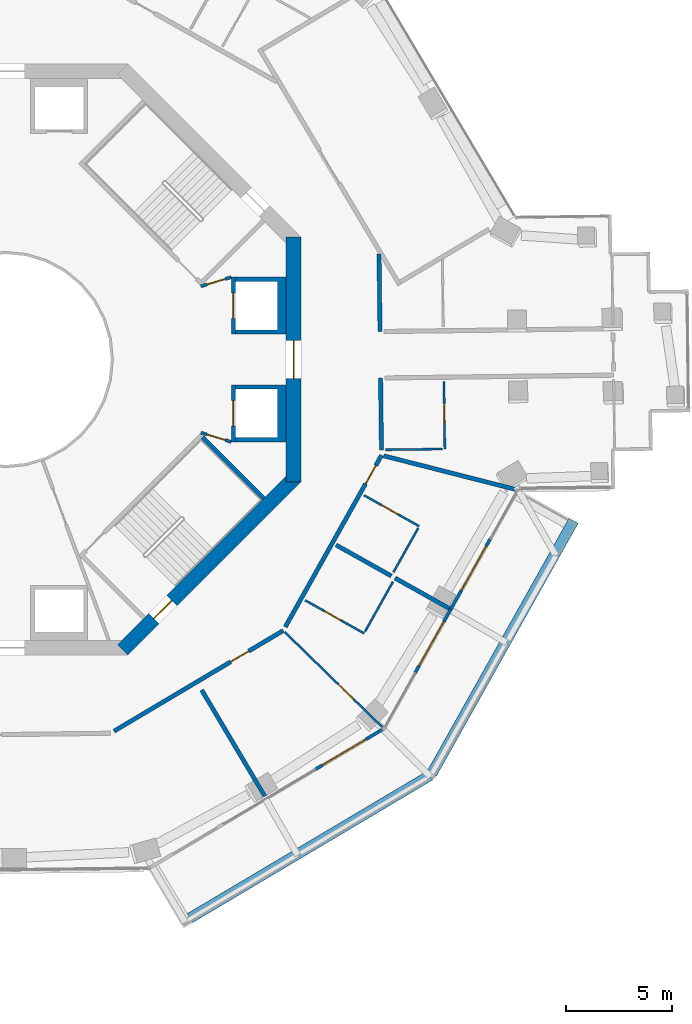
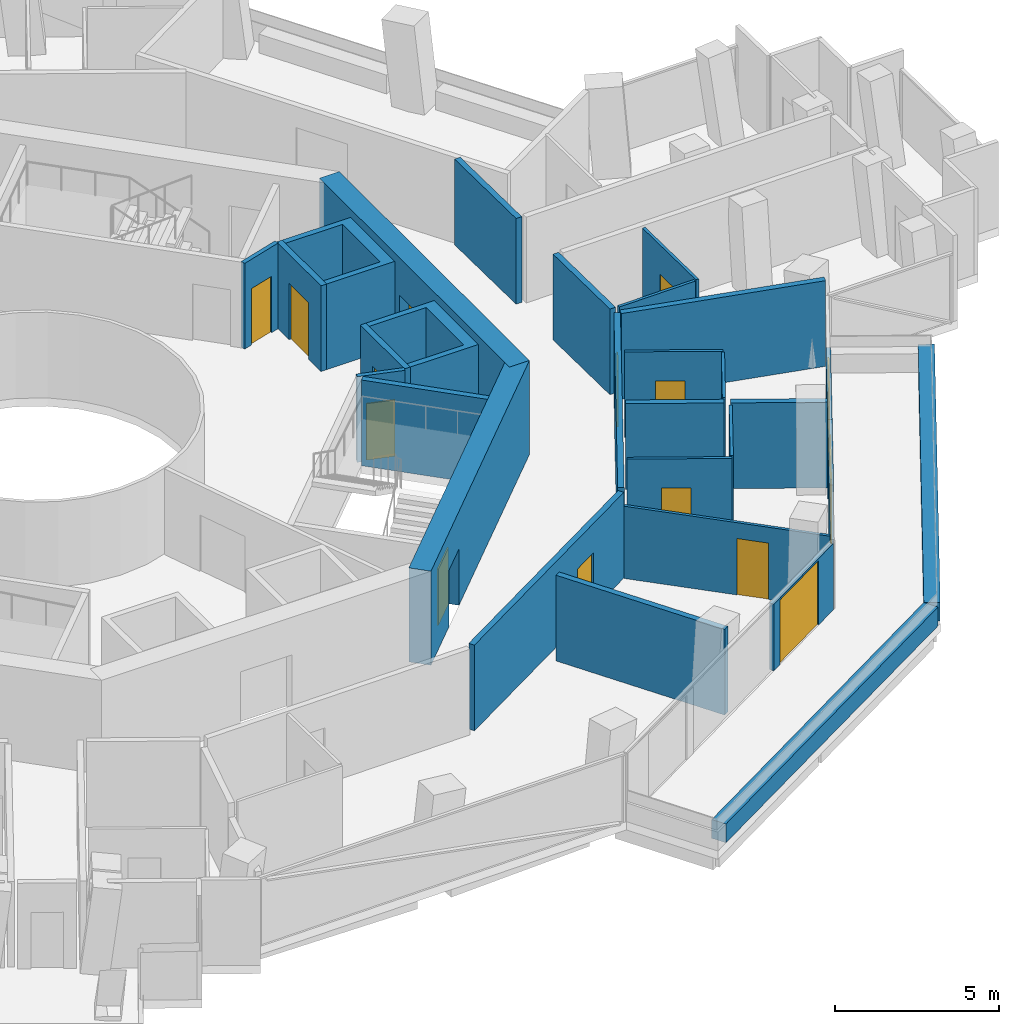
# One storey, part 15 of 21: 29 walls, 15 doors, 15 openings.
"""IFC4 building model written with IfcOpenShell, lengths in metres."""

import ifcopenshell
import ifcopenshell.guid

model = None  # the IFC model being written
_history = None  # IfcOwnerHistory: only IFC2X3 demands one
_inside = {}  # id of a spatial element -> (the spatial element, [elements in it])
_under = {}  # id of a project, library or spatial element -> (it, [spatial elements below it])
_declared = {}  # id of a project -> (the project, [libraries it declares])
_typed = {}  # id of a type object -> (the type object, [elements of that type])
_made_of = {}  # id of a material, layer set ... -> (it, [elements and type objects made of it])


def new_model(schema):
    """Start an empty IFC model of exactly this schema.

    Asked for "IFC4X3", IfcOpenShell would pick the latest addendum, in which some entities
    have other attributes; the version numbers below select the first issue.
    IFC2X3 requires an IfcOwnerHistory on every rooted entity: one is made here for all.
    """
    global model, _history
    if schema == "IFC4X3":
        model = ifcopenshell.file(schema_version=(4, 3, 0, 0))
    else:
        model = ifcopenshell.file(schema=schema)
    _inside.clear()
    _under.clear()
    _declared.clear()
    _typed.clear()
    _made_of.clear()
    _history = None
    if model.schema == "IFC2X3":
        org = make("IfcOrganization", Name="unknown")
        user = make(
            "IfcPersonAndOrganization",
            ThePerson=make("IfcPerson", FamilyName="unknown"),
            TheOrganization=org,
        )
        app = make(
            "IfcApplication",
            ApplicationDeveloper=org,
            Version="unknown",
            ApplicationFullName="unknown",
            ApplicationIdentifier="unknown",
        )
        _history = make(
            "IfcOwnerHistory",
            OwningUser=user,
            OwningApplication=app,
            ChangeAction="ADDED",
            CreationDate=0,
        )
    return model


def make(cls, **values):
    """One entity of the class cls with the attributes given. An attribute that is None is left unset."""
    return model.create_entity(
        cls, **{name: value for name, value in values.items() if value is not None}
    )


def rooted(cls, **values):
    """An entity with a GlobalId (a new one), such as an element, a storey or a relation."""
    return make(cls, GlobalId=ifcopenshell.guid.new(), OwnerHistory=_history, **values)


def si_unit(unit_type, name, prefix=None):
    """IfcSIUnit, for example si_unit("LENGTHUNIT", "METRE", prefix="MILLI")."""
    return make("IfcSIUnit", UnitType=unit_type, Prefix=prefix, Name=name)


def assignment(units):
    """IfcUnitAssignment: the units of a project."""
    return None if units is None else make("IfcUnitAssignment", Units=units)


def point(xyz):
    """IfcCartesianPoint."""
    return None if xyz is None else make("IfcCartesianPoint", Coordinates=xyz)


def direction(xyz):
    """IfcDirection."""
    return None if xyz is None else make("IfcDirection", DirectionRatios=xyz)


def frame(location, z_axis=None, x_axis=None):
    """IfcAxis2Placement3D, a coordinate frame: its origin and axes. An axis left out is left unset."""
    return make(
        "IfcAxis2Placement3D",
        Location=point(location),
        Axis=direction(z_axis),
        RefDirection=direction(x_axis),
    )


def frame_2d(location, x_axis=None):
    """IfcAxis2Placement2D, a coordinate frame in the plane: its origin and x axis."""
    return make(
        "IfcAxis2Placement2D", Location=point(location), RefDirection=direction(x_axis)
    )


def origin():
    """The frame at (0, 0, 0) with its axes left unset."""
    return frame((0.0, 0.0, 0.0))


def place(relative_to, where):
    """IfcLocalPlacement: puts the frame where relative to a parent placement (None: the world)."""
    return make(
        "IfcLocalPlacement", PlacementRelTo=relative_to, RelativePlacement=where
    )


def context(
    kind, dimensions, precision=None, world=None, true_north=None, identifier=None
):
    """IfcGeometricRepresentationContext, for example the 3D "Model" context."""
    return make(
        "IfcGeometricRepresentationContext",
        ContextIdentifier=identifier,
        ContextType=kind,
        CoordinateSpaceDimension=dimensions,
        Precision=precision,
        WorldCoordinateSystem=world,
        TrueNorth=true_north,
    )


def subcontext(parent, identifier, kind, view, scale=None):
    """IfcGeometricRepresentationSubContext, for example "Body" below "Model"."""
    return make(
        "IfcGeometricRepresentationSubContext",
        ContextIdentifier=identifier,
        ContextType=kind,
        ParentContext=parent,
        TargetScale=scale,
        TargetView=view,
    )


def project(units=None, contexts=None):
    """IfcProject with its units and contexts."""
    return rooted(
        "IfcProject",
        Name="project",
        RepresentationContexts=contexts,
        UnitsInContext=assignment(units),
    )


def spatial(cls, under=None, at=None, **own):
    """A site, building, storey or space (cls), placed at a placement, below another one or the project."""
    s = rooted(cls, ObjectPlacement=at, **own)
    if under is not None:
        _under.setdefault(under.id(), (under, []))[1].append(s)
    return s


def polyline(points):
    """IfcPolyline through the points."""
    return make("IfcPolyline", Points=[point(p) for p in points])


def profile(cls, at=None, kind="AREA", **sizes):
    """A parametric profile (cls). Its sizes go by their IFC names, for example OverallWidth=200.0."""
    return make(cls, ProfileType=kind, Position=at, **sizes)


def rectangle(**sizes):
    """IfcRectangleProfileDef."""
    return profile("IfcRectangleProfileDef", **sizes)


def outline(outer, holes=None, kind="AREA"):
    """IfcArbitraryClosedProfileDef: a profile drawn as a closed curve; with holes, ...WithVoids."""
    if holes is None:
        return make("IfcArbitraryClosedProfileDef", ProfileType=kind, OuterCurve=outer)
    return make(
        "IfcArbitraryProfileDefWithVoids",
        ProfileType=kind,
        OuterCurve=outer,
        InnerCurves=holes,
    )


def extrude(swept, where, along, depth):
    """IfcExtrudedAreaSolid: the profile swept, set in the frame where, extruded along a direction by depth."""
    return make(
        "IfcExtrudedAreaSolid",
        SweptArea=swept,
        Position=where,
        ExtrudedDirection=direction(along),
        Depth=depth,
    )


def shape(context_of_items, identifier, shape_type, items):
    """IfcShapeRepresentation: the items that make up one representation, for example the "Body"."""
    return make(
        "IfcShapeRepresentation",
        ContextOfItems=context_of_items,
        RepresentationIdentifier=identifier,
        RepresentationType=shape_type,
        Items=items,
    )


def material(Name=None, Category=None):
    """IfcMaterial."""
    return make("IfcMaterial", Name=Name, Category=Category)


def layer(
    of_material, thickness, ventilated=None, Name=None, Category=None, Priority=None
):
    """IfcMaterialLayer: one layer of a wall or slab, of a material (None: an air gap)."""
    return make(
        "IfcMaterialLayer",
        Material=of_material,
        LayerThickness=thickness,
        IsVentilated=ventilated,
        Name=Name,
        Category=Category,
        Priority=Priority,
    )


def layer_set(layers, Name=None):
    """IfcMaterialLayerSet."""
    return make("IfcMaterialLayerSet", MaterialLayers=layers, LayerSetName=Name)


def made_of(thing, what):
    """Note that an element or type object is made of a material, layer set ...; save() writes the relation."""
    if what is not None:
        _made_of.setdefault(what.id(), (what, []))[1].append(thing)
    return thing


def type_object(cls, material=None, **own):
    """A type object (cls), such as IfcWallType, which elements share."""
    return made_of(rooted(cls, **own), material)


def element(
    cls,
    number,
    at=None,
    inside=None,
    cuts=None,
    type_object=None,
    material=None,
    context=None,
    identifier="Body",
    shape_type=None,
    held_by="IfcProductDefinitionShape",
    body=None,
    shapes=None,
    **own,
):
    """One element of the class cls, such as IfcWall. Its Tag is "e" and its number.

    at: its placement. inside: the storey or other place that contains it. cuts: it is an
    opening in that element (IfcRelVoidsElement). A single representation is given by context,
    identifier, shape_type and body (its items); several are given by shapes. held_by: the class
    of the entity that holds the representations. save() writes the other relations.
    """
    e = rooted(cls, Tag="e%d" % number, ObjectPlacement=at, **own)
    if body is not None:
        shapes = [shape(context, identifier, shape_type, body)]
    if shapes is not None:
        e.Representation = make(held_by, Representations=shapes)
    if inside is not None:
        _inside.setdefault(inside.id(), (inside, []))[1].append(e)
    if cuts is not None:
        rooted(
            "IfcRelVoidsElement", RelatingBuildingElement=cuts, RelatedOpeningElement=e
        )
    if type_object is not None:
        _typed.setdefault(type_object.id(), (type_object, []))[1].append(e)
    return made_of(e, material)


def fill(opening, filler):
    """IfcRelFillsElement: the door or window that sits in an opening."""
    return rooted(
        "IfcRelFillsElement",
        RelatingOpeningElement=opening,
        RelatedBuildingElement=filler,
    )


def aggregate(whole, parts):
    """IfcRelAggregates: a whole, such as a stair, and the parts it consists of."""
    return rooted("IfcRelAggregates", RelatingObject=whole, RelatedObjects=parts)


def save(model, path):
    """Write the relations noted so far, then the file.

    IfcRelAggregates (storeys below a building ...), IfcRelContainedInSpatialStructure (elements
    in a storey), IfcRelDefinesByType, IfcRelAssociatesMaterial and IfcRelDeclares: one each for
    every whole, place, type object, material and project.
    """
    for whole, parts in _under.values():
        aggregate(whole, parts)
    for where, things in _inside.values():
        rooted(
            "IfcRelContainedInSpatialStructure",
            RelatedElements=things,
            RelatingStructure=where,
        )
    for kind, things in _typed.values():
        rooted("IfcRelDefinesByType", RelatedObjects=things, RelatingType=kind)
    for what, things in _made_of.values():
        rooted("IfcRelAssociatesMaterial", RelatedObjects=things, RelatingMaterial=what)
    for by, libraries in _declared.values():
        rooted("IfcRelDeclares", RelatingContext=by, RelatedDefinitions=libraries)
    model.write(path)


model = new_model("IFC4")

# Units and contexts
model_context = context("Model", 3, precision=1e-05, world=origin(), true_north=direction((0.0, 1.0)))
body_context = subcontext(model_context, "Body", "Model", "MODEL_VIEW")
ifc_project = project(units=[si_unit("LENGTHUNIT", "METRE"), si_unit("AREAUNIT", "SQUARE_METRE"), si_unit("VOLUMEUNIT", "CUBIC_METRE"), si_unit("PLANEANGLEUNIT", "RADIAN"), si_unit("MASSUNIT", "GRAM", prefix="KILO")], contexts=[model_context])

# Site, building, storey
site_placement = place(None, origin())
site = spatial("IfcSite", under=ifc_project, at=site_placement, CompositionType="ELEMENT")
building_placement = place(site_placement, origin())
building = spatial("IfcBuilding", under=site, at=building_placement, Name="Verdalira Terraces Hotel", CompositionType="ELEMENT")
storey_placement = place(building_placement, frame((0.0, 0.0, 158.5)))
storey = spatial("IfcBuildingStorey", under=building, at=storey_placement, Name="L38", CompositionType="ELEMENT", Elevation=158.5)

# Walls
ifc_material_1 = material(Name="Concrete C40", Category="concrete")
ifc_layer_1 = layer(ifc_material_1, 0.5)
ifc_layer_set_1 = layer_set([ifc_layer_1], Name="Balcony planter trough with tree")
wall_type_1 = type_object("IfcWallType", Name="Balcony planter trough with tree", PredefinedType="SOLIDWALL", material=ifc_layer_set_1)
wall_1_placement = place(storey_placement, frame((8.741211, -26.455322, 0.0), z_axis=(0.0, 0.0, 1.0), x_axis=(0.85967461, 0.510842016, 0.0)))
element("IfcWall", 1, at=wall_1_placement, inside=storey, type_object=wall_type_1, Name="Balcony planter", PredefinedType="SOLIDWALL", context=body_context, shape_type="SweptSolid", body=[
    extrude(rectangle(XDim=13.223633, YDim=0.5, at=frame_2d((6.611816, 0.0))), origin(), (0.0, 0.0, 1.0), 0.699951),
])
wall_2_placement = place(storey_placement, frame((20.199463, -19.607666, 0.0), z_axis=(0.0, 0.0, 1.0), x_axis=(0.48906647, 0.872246518, 0.0)))
element("IfcWall", 2, at=wall_2_placement, inside=storey, type_object=wall_type_1, Name="Balcony planter", PredefinedType="SOLIDWALL", context=body_context, shape_type="SweptSolid", body=[
    extrude(rectangle(XDim=13.723389, YDim=0.5, at=frame_2d((6.861816, 0.0))), origin(), (0.0, 0.0, 1.0), 0.699951),
])

# Wall, opening, door
ifc_material_2 = material(Name="Moisture-resistant gypsum board partition")
ifc_layer_2 = layer(ifc_material_2, 0.10009765625)
ifc_layer_set_2 = layer_set([ifc_layer_2], Name="Bathroom partition 100 mm")
wall_type_2 = type_object("IfcWallType", Name="Bathroom partition 100 mm", PredefinedType="PARTITIONING", material=ifc_layer_set_2)
wall_3_placement = place(storey_placement, frame((14.196777, -11.399658, 0.0), z_axis=(0.0, 0.0, 1.0), x_axis=(0.872210525, -0.489130657, 0.0)))
wall_3 = element("IfcWall", 3, at=wall_3_placement, inside=storey, type_object=wall_type_2, Name="Bathroom partition", PredefinedType="PARTITIONING", context=body_context, shape_type="SweptSolid", body=[
    extrude(rectangle(XDim=3.199951, YDim=0.100098, at=frame_2d((1.600098, 0.0))), origin(), (0.0, 0.0, 1.0), 3.189941),
])
opening_1_placement = place(wall_3_placement, frame((1.050049, 0.0, 0.0)))
opening_1 = element("IfcOpeningElement", 4, at=opening_1_placement, cuts=wall_3, Name="Opening L38-125", PredefinedType="OPENING", context=body_context, shape_type="SweptSolid", body=[
    extrude(rectangle(XDim=0.899902, YDim=2.100098, at=frame_2d((0.449951, 1.050049))), frame((0.0, 0.060059, 0.0), z_axis=(0.0, -1.0, 0.0), x_axis=(1.0, 0.0, 0.0)), (0.0, 0.0, 1.0), 0.120117),
])
ifc_material_3 = material(Name="Timber door", Category="wood")
door_type_1 = type_object("IfcDoorType", Name="Bathroom door 900 x 2100", OperationType="NOTDEFINED", PredefinedType="DOOR", material=ifc_material_3)
door_1_placement = place(opening_1_placement, origin())
door_1 = element("IfcDoor", 5, at=door_1_placement, inside=storey, type_object=door_type_1, Name="Bathroom door 3807", OperationType="SINGLE_SWING_RIGHT", OverallHeight=2.10009765625, OverallWidth=0.89990234375, PredefinedType="DOOR", context=body_context, shape_type="SweptSolid", body=[
    extrude(rectangle(XDim=0.899902, YDim=2.100098, at=frame_2d((0.449951, 1.050049))), frame((0.0, 0.024902, 0.0), z_axis=(0.0, -1.0, 0.0), x_axis=(1.0, 0.0, 0.0)), (0.0, 0.0, 1.0), 0.050049),
])
fill(opening_1, door_1)

# Wall
wall_4_placement = place(storey_placement, frame((17.036865, -12.877686, 0.0), z_axis=(0.0, 0.0, 1.0), x_axis=(0.489063093, 0.872248411, 0.0)))
element("IfcWall", 6, at=wall_4_placement, inside=storey, type_object=wall_type_2, Name="Bathroom partition", PredefinedType="PARTITIONING", context=body_context, shape_type="SweptSolid", body=[
    extrude(rectangle(XDim=2.700195, YDim=0.100098, at=frame_2d((1.350098, 0.0))), origin(), (0.0, 0.0, 1.0), 3.189941),
])

# Wall, opening, door
wall_5_placement = place(storey_placement, frame((19.601318, -7.895264, 0.0), z_axis=(0.0, 0.0, 1.0), x_axis=(-0.872231109, 0.489093951, 0.0)))
wall_5 = element("IfcWall", 7, at=wall_5_placement, inside=storey, type_object=wall_type_2, Name="Bathroom partition", PredefinedType="PARTITIONING", context=body_context, shape_type="SweptSolid", body=[
    extrude(rectangle(XDim=3.0, YDim=0.100098, at=frame_2d((1.5, 0.0))), origin(), (0.0, 0.0, 1.0), 3.189941),
])
opening_2_placement = place(wall_5_placement, frame((1.149902, 0.0, 0.0)))
opening_2 = element("IfcOpeningElement", 8, at=opening_2_placement, cuts=wall_5, Name="Opening L38-127", PredefinedType="OPENING", context=body_context, shape_type="SweptSolid", body=[
    extrude(rectangle(XDim=0.899902, YDim=2.100098, at=frame_2d((0.449951, 1.050049))), frame((0.0, 0.060059, 0.0), z_axis=(0.0, -1.0, 0.0), x_axis=(1.0, 0.0, 0.0)), (0.0, 0.0, 1.0), 0.120117),
])
door_2_placement = place(opening_2_placement, origin())
door_2 = element("IfcDoor", 9, at=door_2_placement, inside=storey, type_object=door_type_1, Name="Bathroom door 3808", OperationType="SINGLE_SWING_LEFT", OverallHeight=2.10009765625, OverallWidth=0.89990234375, PredefinedType="DOOR", context=body_context, shape_type="SweptSolid", body=[
    extrude(rectangle(XDim=0.899902, YDim=2.100098, at=frame_2d((0.449951, 1.050049))), frame((0.0, 0.024902, 0.0), z_axis=(0.0, -1.0, 0.0), x_axis=(1.0, 0.0, 0.0)), (0.0, 0.0, 1.0), 0.050049),
])
fill(opening_2, door_2)

# Walls
wall_6_placement = place(storey_placement, frame((19.552246, -7.982422, 0.0), z_axis=(0.0, 0.0, 1.0), x_axis=(-0.48911131, -0.872221375, 0.0)))
element("IfcWall", 10, at=wall_6_placement, inside=storey, type_object=wall_type_2, Name="Bathroom partition", PredefinedType="PARTITIONING", context=body_context, shape_type="SweptSolid", body=[
    extrude(rectangle(XDim=2.399902, YDim=0.100098, at=frame_2d((1.199951, 0.0))), origin(), (0.0, 0.0, 1.0), 3.189941),
])
wall_7_placement = place(storey_placement, frame((18.013428, -4.273926, 0.0), z_axis=(0.0, 0.0, 1.0), x_axis=(0.999921006, 0.012569092, 0.0)))
element("IfcWall", 11, at=wall_7_placement, inside=storey, type_object=wall_type_2, Name="Bathroom partition", PredefinedType="PARTITIONING", context=body_context, shape_type="SweptSolid", body=[
    extrude(rectangle(XDim=2.699951, YDim=0.100098, at=frame_2d((1.350098, 0.0))), origin(), (0.0, 0.0, 1.0), 3.189941),
])

# Wall, opening, door
wall_8_placement = place(storey_placement, frame((20.813232, -4.23877, 0.0), z_axis=(0.0, 0.0, 1.0), x_axis=(-0.012588656, 0.99992076, 0.0)))
wall_8 = element("IfcWall", 12, at=wall_8_placement, inside=storey, type_object=wall_type_2, Name="Bathroom partition", PredefinedType="PARTITIONING", context=body_context, shape_type="SweptSolid", body=[
    extrude(rectangle(XDim=3.199951, YDim=0.100098, at=frame_2d((1.600098, 0.0))), origin(), (0.0, 0.0, 1.0), 3.189941),
])
opening_3_placement = place(wall_8_placement, frame((1.25, 0.0, 0.0)))
opening_3 = element("IfcOpeningElement", 13, at=opening_3_placement, cuts=wall_8, Name="Opening L38-131", PredefinedType="OPENING", context=body_context, shape_type="SweptSolid", body=[
    extrude(rectangle(XDim=0.899902, YDim=2.100098, at=frame_2d((0.449951, 1.050049))), frame((0.0, 0.060059, 0.0), z_axis=(0.0, -1.0, 0.0), x_axis=(1.0, 0.0, 0.0)), (0.0, 0.0, 1.0), 0.120117),
])
door_3_placement = place(opening_3_placement, origin())
door_3 = element("IfcDoor", 14, at=door_3_placement, inside=storey, type_object=door_type_1, Name="Bathroom door 3809", OperationType="SINGLE_SWING_LEFT", OverallHeight=2.10009765625, OverallWidth=0.89990234375, PredefinedType="DOOR", context=body_context, shape_type="SweptSolid", body=[
    extrude(rectangle(XDim=0.899902, YDim=2.100098, at=frame_2d((0.449951, 1.050049))), frame((0.0, 0.024902, 0.0), z_axis=(0.0, -1.0, 0.0), x_axis=(1.0, 0.0, 0.0)), (0.0, 0.0, 1.0), 0.050049),
])
fill(opening_3, door_3)

ifc_material_4 = material(Name="Moisture-resistant gypsum board partition")
ifc_layer_3 = layer(ifc_material_4, 0.10009765625)
ifc_layer_set_3 = layer_set([ifc_layer_3], Name="Bathroom partition 100 mm to beam soffit")
wall_type_3 = type_object("IfcWallType", Name="Bathroom partition 100 mm to beam soffit", PredefinedType="PARTITIONING", material=ifc_layer_set_3)
wall_9_placement = place(storey_placement, frame((13.236572, -12.907959, 0.0), z_axis=(0.0, 0.0, 1.0), x_axis=(0.71592947, -0.69817261, 0.0)))
wall_9 = element("IfcWall", 15, at=wall_9_placement, inside=storey, type_object=wall_type_3, Name="Bathroom partition", PredefinedType="PARTITIONING", context=body_context, shape_type="SweptSolid", body=[
    extrude(rectangle(XDim=6.47583, YDim=0.100098, at=frame_2d((3.237793, 0.0))), origin(), (0.0, 0.0, 1.0), 2.689941),
])
opening_4_placement = place(wall_9_placement, frame((3.550049, 0.0, 0.0)))
opening_4 = element("IfcOpeningElement", 16, at=opening_4_placement, cuts=wall_9, Name="Opening L38-124", PredefinedType="OPENING", context=body_context, shape_type="SweptSolid", body=[
    extrude(rectangle(XDim=1.0, YDim=2.100098, at=frame_2d((0.5, 1.050049))), frame((0.0, 0.060059, 0.0), z_axis=(0.0, -1.0, 0.0), x_axis=(1.0, 0.0, 0.0)), (0.0, 0.0, 1.0), 0.120117),
])
ifc_material_5 = material(Name="Timber door", Category="wood")
door_type_2 = type_object("IfcDoorType", Name="Suite internal door 1000 x 2100", OperationType="NOTDEFINED", PredefinedType="DOOR", material=ifc_material_5)
door_4_placement = place(opening_4_placement, origin())
door_4 = element("IfcDoor", 17, at=door_4_placement, inside=storey, type_object=door_type_2, Name="Suite internal door 3807", OperationType="SINGLE_SWING_LEFT", OverallHeight=2.10009765625, OverallWidth=1.0, PredefinedType="DOOR", context=body_context, shape_type="SweptSolid", body=[
    extrude(rectangle(XDim=1.0, YDim=2.100098, at=frame_2d((0.5, 1.050049))), frame((0.0, 0.024902, 0.0), z_axis=(0.0, -1.0, 0.0), x_axis=(1.0, 0.0, 0.0)), (0.0, 0.0, 1.0), 0.050049),
])
fill(opening_4, door_4)

# Wall
ifc_material_6 = material(Name="Concrete C50", Category="concrete")
ifc_layer_4 = layer(ifc_material_6, 0.199951171875)
ifc_layer_set_4 = layer_set([ifc_layer_4], Name="Core RC wall 200 C50")
wall_type_4 = type_object("IfcWallType", Name="Core RC wall 200 C50", PredefinedType="SOLIDWALL", material=ifc_layer_set_4)
wall_10_placement = place(storey_placement, origin())
element("IfcWall", 18, at=wall_10_placement, inside=storey, type_object=wall_type_4, Name="L38 shaft wall E1", PredefinedType="SOLIDWALL", context=body_context, shape_type="SweptSolid", body=[
    extrude(outline(polyline([(13.300049, -3.899902), (10.899902, -3.899902), (10.899902, -3.699951), (12.899902, -3.699951), (12.899902, -1.399902), (10.899902, -1.399902), (10.899902, -1.199951), (13.300049, -1.199951), (13.300049, -3.899902)])), origin(), (0.0, 0.0, 1.0), 3.189941),
])

# Wall, opening, door
wall_11_placement = place(storey_placement, frame((10.800049, -1.199951, 0.0), z_axis=(0.0, 0.0, 1.0), x_axis=(0.0, -1.0, 0.0)))
wall_11 = element("IfcWall", 19, at=wall_11_placement, inside=storey, type_object=wall_type_4, Name="L38 shaft front wall E1", PredefinedType="SOLIDWALL", context=body_context, shape_type="SweptSolid", body=[
    extrude(rectangle(XDim=2.699951, YDim=0.199951, at=frame_2d((1.350098, 0.0))), origin(), (0.0, 0.0, 1.0), 3.189941),
])
opening_5_placement = place(wall_11_placement, frame((0.75, 0.0, 0.0)))
opening_5 = element("IfcOpeningElement", 20, at=opening_5_placement, cuts=wall_11, Name="Opening LD-L38-801", PredefinedType="OPENING", context=body_context, shape_type="SweptSolid", body=[
    extrude(rectangle(XDim=1.199951, YDim=2.100098, at=frame_2d((0.600098, 1.050049))), frame((0.0, 0.109863, 0.0), z_axis=(0.0, -1.0, 0.0), x_axis=(1.0, 0.0, 0.0)), (0.0, 0.0, 1.0), 0.219971),
])
ifc_material_7 = material(Name="Stainless steel", Category="steel")
door_type_3 = type_object("IfcDoorType", Name="Landing door 1200 x 2100", OperationType="NOTDEFINED", PredefinedType="DOOR", material=ifc_material_7)
door_5_placement = place(opening_5_placement, origin())
door_5 = element("IfcDoor", 21, at=door_5_placement, inside=storey, type_object=door_type_3, Name="Lift landing door LR1 L38", OperationType="DOUBLE_DOOR_SLIDING", OverallHeight=2.10009765625, OverallWidth=1.199951171875, PredefinedType="DOOR", context=body_context, shape_type="SweptSolid", body=[
    extrude(rectangle(XDim=1.199951, YDim=2.100098, at=frame_2d((0.600098, 1.050049))), frame((0.0, 0.024902, 0.0), z_axis=(0.0, -1.0, 0.0), x_axis=(1.0, 0.0, 0.0)), (0.0, 0.0, 1.0), 0.050049),
])
fill(opening_5, door_5)

# Wall
wall_12_placement = place(storey_placement, origin())
element("IfcWall", 22, at=wall_12_placement, inside=storey, type_object=wall_type_4, Name="L38 shaft wall E2", PredefinedType="SOLIDWALL", context=body_context, shape_type="SweptSolid", body=[
    extrude(outline(polyline([(13.300049, 3.899902), (13.300049, 1.199951), (10.899902, 1.199951), (10.899902, 1.399902), (12.899902, 1.399902), (12.899902, 3.699951), (10.899902, 3.699951), (10.899902, 3.899902), (13.300049, 3.899902)])), origin(), (0.0, 0.0, 1.0), 3.189941),
])

# Wall, opening, door
wall_13_placement = place(storey_placement, frame((10.800049, 1.199951, 0.0), z_axis=(0.0, 0.0, 1.0), x_axis=(0.0, 1.0, 0.0)))
wall_13 = element("IfcWall", 23, at=wall_13_placement, inside=storey, type_object=wall_type_4, Name="L38 shaft front wall E2", PredefinedType="SOLIDWALL", context=body_context, shape_type="SweptSolid", body=[
    extrude(rectangle(XDim=2.699951, YDim=0.199951, at=frame_2d((1.350098, 0.0))), origin(), (0.0, 0.0, 1.0), 3.189941),
])
opening_6_placement = place(wall_13_placement, frame((0.75, 0.0, 0.0)))
opening_6 = element("IfcOpeningElement", 24, at=opening_6_placement, cuts=wall_13, Name="Opening LD-L38-802", PredefinedType="OPENING", context=body_context, shape_type="SweptSolid", body=[
    extrude(rectangle(XDim=1.199951, YDim=2.100098, at=frame_2d((0.600098, 1.050049))), frame((0.0, 0.109863, 0.0), z_axis=(0.0, -1.0, 0.0), x_axis=(1.0, 0.0, 0.0)), (0.0, 0.0, 1.0), 0.219971),
])
door_6_placement = place(opening_6_placement, origin())
door_6 = element("IfcDoor", 25, at=door_6_placement, inside=storey, type_object=door_type_3, Name="Lift landing door LR2 L38", OperationType="DOUBLE_DOOR_SLIDING", OverallHeight=2.10009765625, OverallWidth=1.199951171875, PredefinedType="DOOR", context=body_context, shape_type="SweptSolid", body=[
    extrude(rectangle(XDim=1.199951, YDim=2.100098, at=frame_2d((0.600098, 1.050049))), frame((0.0, 0.024902, 0.0), z_axis=(0.0, -1.0, 0.0), x_axis=(1.0, 0.0, 0.0)), (0.0, 0.0, 1.0), 0.050049),
])
fill(opening_6, door_6)

# Wall
wall_14_placement = place(storey_placement, frame((9.33374, -3.677002, 0.0), z_axis=(0.0, 0.0, 1.0), x_axis=(0.707106781, -0.707106781, 0.0)))
element("IfcWall", 26, at=wall_14_placement, inside=storey, type_object=wall_type_4, Name="L38 stair ST3 end wall 2", PredefinedType="SOLIDWALL", context=body_context, shape_type="SweptSolid", body=[
    extrude(rectangle(XDim=4.100098, YDim=0.199951, at=frame_2d((2.050049, 0.0))), origin(), (0.0, 0.0, 1.0), 3.189941),
])

# Wall, opening, door
ifc_material_8 = material(Name="Gypsum board partition")
ifc_layer_5 = layer(ifc_material_8, 0.14990234375)
ifc_layer_set_5 = layer_set([ifc_layer_5], Name="Core partition 150 mm")
wall_type_5 = type_object("IfcWallType", Name="Core partition 150 mm", PredefinedType="PARTITIONING", material=ifc_layer_set_5)
wall_15_placement = place(storey_placement, frame((10.699951, 3.899902, 0.0), z_axis=(0.0, 0.0, 1.0), x_axis=(-0.957084567, -0.289808785, 0.0)))
wall_15 = element("IfcWall", 27, at=wall_15_placement, inside=storey, type_object=wall_type_5, Name="Room partition L38", PredefinedType="PARTITIONING", context=body_context, shape_type="SweptSolid", body=[
    extrude(rectangle(XDim=1.501221, YDim=0.149902, at=frame_2d((0.750488, 0.0))), origin(), (0.0, 0.0, 1.0), 3.189941),
])
opening_7_placement = place(wall_15_placement, frame((0.300781, 0.0, 0.0)))
opening_7 = element("IfcOpeningElement", 28, at=opening_7_placement, cuts=wall_15, Name="Opening L38-820", PredefinedType="OPENING", context=body_context, shape_type="SweptSolid", body=[
    extrude(rectangle(XDim=0.899902, YDim=2.100098, at=frame_2d((0.449951, 1.050049))), frame((0.0, 0.084961, 0.0), z_axis=(0.0, -1.0, 0.0), x_axis=(1.0, 0.0, 0.0)), (0.0, 0.0, 1.0), 0.169922),
])
ifc_material_9 = material(Name="Steel fire door", Category="steel")
door_type_4 = type_object("IfcDoorType", Name="Core room door 900 x 2100", OperationType="NOTDEFINED", PredefinedType="DOOR", material=ifc_material_9)
door_7_placement = place(opening_7_placement, origin())
door_7 = element("IfcDoor", 29, at=door_7_placement, inside=storey, type_object=door_type_4, Name="Door L38 room0", OperationType="SINGLE_SWING_LEFT", OverallHeight=2.10009765625, OverallWidth=0.89990234375, PredefinedType="DOOR", context=body_context, shape_type="SweptSolid", body=[
    extrude(rectangle(XDim=0.899902, YDim=2.100098, at=frame_2d((0.449951, 1.050049))), frame((0.0, 0.024902, 0.0), z_axis=(0.0, -1.0, 0.0), x_axis=(1.0, 0.0, 0.0)), (0.0, 0.0, 1.0), 0.050049),
])
fill(opening_7, door_7)

wall_16_placement = place(storey_placement, frame((9.263184, -3.464844, 0.0), z_axis=(0.0, 0.0, 1.0), x_axis=(0.957084567, -0.289808785, 0.0)))
wall_16 = element("IfcWall", 30, at=wall_16_placement, inside=storey, type_object=wall_type_5, Name="Room partition L38", PredefinedType="PARTITIONING", context=body_context, shape_type="SweptSolid", body=[
    extrude(rectangle(XDim=1.501221, YDim=0.149902, at=frame_2d((0.750488, 0.0))), origin(), (0.0, 0.0, 1.0), 3.189941),
])
opening_8_placement = place(wall_16_placement, frame((0.300781, 0.0, 0.0)))
opening_8 = element("IfcOpeningElement", 31, at=opening_8_placement, cuts=wall_16, Name="Opening L38-823", PredefinedType="OPENING", context=body_context, shape_type="SweptSolid", body=[
    extrude(rectangle(XDim=0.899902, YDim=2.100098, at=frame_2d((0.449951, 1.050049))), frame((0.0, 0.084961, 0.0), z_axis=(0.0, -1.0, 0.0), x_axis=(1.0, 0.0, 0.0)), (0.0, 0.0, 1.0), 0.169922),
])
door_8_placement = place(opening_8_placement, origin())
door_8 = element("IfcDoor", 32, at=door_8_placement, inside=storey, type_object=door_type_4, Name="Door L38 room7", OperationType="SINGLE_SWING_LEFT", OverallHeight=2.10009765625, OverallWidth=0.89990234375, PredefinedType="DOOR", context=body_context, shape_type="SweptSolid", body=[
    extrude(rectangle(XDim=0.899902, YDim=2.100098, at=frame_2d((0.449951, 1.050049))), frame((0.0, 0.024902, 0.0), z_axis=(0.0, -1.0, 0.0), x_axis=(1.0, 0.0, 0.0)), (0.0, 0.0, 1.0), 0.050049),
])
fill(opening_8, door_8)

ifc_material_10 = material(Name="Concrete C60", Category="concrete")
ifc_layer_6 = layer(ifc_material_10, 0.699951171875)
ifc_layer_set_6 = layer_set([ifc_layer_6], Name="Core wall 700 C60")
wall_type_6 = type_object("IfcWallType", Name="Core wall 700 C60", PredefinedType="SHEAR", material=ifc_layer_set_6)
wall_17_placement = place(storey_placement, frame((13.649902, -5.799072, 0.0), z_axis=(0.0, 0.0, 1.0), x_axis=(0.0, 1.0, 0.0)))
wall_17 = element("IfcWall", 33, at=wall_17_placement, inside=storey, type_object=wall_type_6, Name="Core wall CW-L38-1", PredefinedType="SHEAR", context=body_context, shape_type="SweptSolid", body=[
    extrude(rectangle(XDim=11.598145, YDim=0.699951, at=frame_2d((5.799072, 0.0))), origin(), (0.0, 0.0, 1.0), 3.5),
])
opening_9_placement = place(wall_17_placement, frame((4.898926, 0.0, 0.0)))
opening_9 = element("IfcOpeningElement", 34, at=opening_9_placement, cuts=wall_17, Name="Opening L38-812", PredefinedType="OPENING", context=body_context, shape_type="SweptSolid", body=[
    extrude(rectangle(XDim=1.800049, YDim=2.100098, at=frame_2d((0.899902, 1.050049))), frame((0.0, 0.359863, 0.0), z_axis=(0.0, -1.0, 0.0), x_axis=(1.0, 0.0, 0.0)), (0.0, 0.0, 1.0), 0.719971),
])
ifc_material_11 = material(Name="Steel fire door", Category="steel")
door_type_5 = type_object("IfcDoorType", Name="Core entry door pair 1800 x 2100", OperationType="NOTDEFINED", PredefinedType="DOOR", material=ifc_material_11)
door_9_placement = place(opening_9_placement, origin())
door_9 = element("IfcDoor", 35, at=door_9_placement, inside=storey, type_object=door_type_5, Name="Core entry door L38 0", OperationType="DOUBLE_DOOR_SINGLE_SWING", OverallHeight=2.10009765625, OverallWidth=1.800048828125, PredefinedType="DOOR", context=body_context, shape_type="SweptSolid", body=[
    extrude(rectangle(XDim=1.800049, YDim=2.100098, at=frame_2d((0.899902, 1.050049))), frame((0.0, 0.024902, 0.0), z_axis=(0.0, -1.0, 0.0), x_axis=(1.0, 0.0, 0.0)), (0.0, 0.0, 1.0), 0.050049),
])
fill(opening_9, door_9)

wall_18_placement = place(storey_placement, frame((5.551514, -13.752441, 0.0), z_axis=(0.0, 0.0, 1.0), x_axis=(0.707106781, 0.707106781, 0.0)))
wall_18 = element("IfcWall", 36, at=wall_18_placement, inside=storey, type_object=wall_type_6, Name="Core wall CW-L38-8", PredefinedType="SHEAR", context=body_context, shape_type="SweptSolid", body=[
    extrude(rectangle(XDim=11.5979, YDim=0.699951, at=frame_2d((5.798828, 0.0))), origin(), (0.0, 0.0, 1.0), 3.5),
])
opening_10_placement = place(wall_18_placement, frame((2.099121, 0.0, 0.0)))
opening_10 = element("IfcOpeningElement", 37, at=opening_10_placement, cuts=wall_18, Name="Opening L38-818", PredefinedType="OPENING", context=body_context, shape_type="SweptSolid", body=[
    extrude(rectangle(XDim=1.199951, YDim=2.100098, at=frame_2d((0.600098, 1.050049))), frame((0.0, 0.359863, 0.0), z_axis=(0.0, -1.0, 0.0), x_axis=(1.0, 0.0, 0.0)), (0.0, 0.0, 1.0), 0.719971),
])
ifc_material_12 = material(Name="Steel fire door", Category="steel")
door_type_6 = type_object("IfcDoorType", Name="Stair door 1200 x 2100", OperationType="NOTDEFINED", PredefinedType="DOOR", material=ifc_material_12)
door_10_placement = place(opening_10_placement, origin())
door_10 = element("IfcDoor", 38, at=door_10_placement, inside=storey, type_object=door_type_6, Name="Stair exit door ST3 L38", OperationType="SINGLE_SWING_LEFT", OverallHeight=2.10009765625, OverallWidth=1.199951171875, PredefinedType="DOOR", context=body_context, shape_type="SweptSolid", body=[
    extrude(rectangle(XDim=1.199951, YDim=2.100098, at=frame_2d((0.600098, 1.050049))), frame((0.0, 0.024902, 0.0), z_axis=(0.0, -1.0, 0.0), x_axis=(1.0, 0.0, 0.0)), (0.0, 0.0, 1.0), 0.050049),
])
fill(opening_10, door_10)

# Walls
ifc_material_13 = material(Name="Fire-rated gypsum board wall")
ifc_layer_7 = layer(ifc_material_13, 0.199951171875)
ifc_layer_set_7 = layer_set([ifc_layer_7], Name="Demising wall 200 mm")
wall_type_7 = type_object("IfcWallType", Name="Demising wall 200 mm", PredefinedType="SOLIDWALL", material=ifc_layer_set_7)
wall_19_placement = place(storey_placement, frame((9.300293, -15.650879, 0.0), z_axis=(0.0, 0.0, 1.0), x_axis=(0.510811085, -0.859692989, 0.0)))
element("IfcWall", 39, at=wall_19_placement, inside=storey, type_object=wall_type_7, Name="Demising wall", PredefinedType="SOLIDWALL", context=body_context, shape_type="SweptSolid", body=[
    extrude(rectangle(XDim=5.902588, YDim=0.199951, at=frame_2d((2.951172, 0.0))), origin(), (0.0, 0.0, 1.0), 3.189941),
])
wall_20_placement = place(storey_placement, frame((15.664062, -8.782959, 0.0), z_axis=(0.0, 0.0, 1.0), x_axis=(0.872228513, -0.489098581, 0.0)))
element("IfcWall", 40, at=wall_20_placement, inside=storey, type_object=wall_type_7, Name="Demising wall", PredefinedType="SOLIDWALL", context=body_context, shape_type="SweptSolid", body=[
    extrude(rectangle(XDim=3.001953, YDim=0.199951, at=frame_2d((1.500977, 0.0))), origin(), (0.0, 0.0, 1.0), 3.189941),
])
wall_21_placement = place(storey_placement, frame((18.455078, -10.348145, 0.0), z_axis=(0.0, 0.0, 1.0), x_axis=(0.872237762, -0.489082085, 0.0)))
element("IfcWall", 41, at=wall_21_placement, inside=storey, type_object=wall_type_7, Name="Demising wall", PredefinedType="SOLIDWALL", context=body_context, shape_type="SweptSolid", body=[
    extrude(rectangle(XDim=2.950195, YDim=0.199951, at=frame_2d((1.475098, 0.0))), origin(), (0.0, 0.0, 1.0), 3.189941),
])
wall_22_placement = place(storey_placement, frame((17.916992, -4.560303, 0.0), z_axis=(0.0, 0.0, 1.0), x_axis=(0.969097993, -0.246676062, 0.0)))
element("IfcWall", 42, at=wall_22_placement, inside=storey, type_object=wall_type_7, Name="Demising wall", PredefinedType="SOLIDWALL", context=body_context, shape_type="SweptSolid", body=[
    extrude(rectangle(XDim=6.47583, YDim=0.199951, at=frame_2d((3.237793, 0.0))), origin(), (0.0, 0.0, 1.0), 3.189941),
])

# Wall, opening, door
ifc_material_14 = material(Name="Fire-rated gypsum board wall")
ifc_layer_8 = layer(ifc_material_14, 0.199951171875)
ifc_layer_set_8 = layer_set([ifc_layer_8], Name="Guest corridor wall 200 mm")
wall_type_8 = type_object("IfcWallType", Name="Guest corridor wall 200 mm", PredefinedType="SOLIDWALL", material=ifc_layer_set_8)
wall_23_placement = place(storey_placement, frame((13.162354, -12.835693, 0.0), z_axis=(0.0, 0.0, 1.0), x_axis=(-0.859674935, -0.510841468, 0.0)))
wall_23 = element("IfcWall", 43, at=wall_23_placement, inside=storey, type_object=wall_type_8, Name="Guest corridor wall", PredefinedType="SOLIDWALL", context=body_context, shape_type="SweptSolid", body=[
    extrude(rectangle(XDim=9.316162, YDim=0.199951, at=frame_2d((4.658203, 0.0))), origin(), (0.0, 0.0, 1.0), 3.189941),
])
opening_11_placement = place(wall_23_placement, frame((1.899902, 0.0, 0.0)))
opening_11 = element("IfcOpeningElement", 44, at=opening_11_placement, cuts=wall_23, Name="Opening L38-123", PredefinedType="OPENING", context=body_context, shape_type="SweptSolid", body=[
    extrude(rectangle(XDim=1.0, YDim=2.100098, at=frame_2d((0.5, 1.050049))), frame((0.0, 0.109863, 0.0), z_axis=(0.0, -1.0, 0.0), x_axis=(1.0, 0.0, 0.0)), (0.0, 0.0, 1.0), 0.219971),
])
ifc_material_15 = material(Name="Timber fire door", Category="wood")
door_type_7 = type_object("IfcDoorType", Name="Guest entry door 1000 x 2100", OperationType="NOTDEFINED", PredefinedType="DOOR", material=ifc_material_15)
door_11_placement = place(opening_11_placement, origin())
door_11 = element("IfcDoor", 45, at=door_11_placement, inside=storey, type_object=door_type_7, Name="Guest entry door 3807", OperationType="SINGLE_SWING_LEFT", OverallHeight=2.10009765625, OverallWidth=1.0, PredefinedType="DOOR", context=body_context, shape_type="SweptSolid", body=[
    extrude(rectangle(XDim=1.0, YDim=2.100098, at=frame_2d((0.5, 1.050049))), frame((0.0, 0.024902, 0.0), z_axis=(0.0, -1.0, 0.0), x_axis=(1.0, 0.0, 0.0)), (0.0, 0.0, 1.0), 0.050049),
])
fill(opening_11, door_11)

wall_24_placement = place(storey_placement, frame((17.81665, -4.534912, 0.0), z_axis=(0.0, 0.0, 1.0), x_axis=(-0.489090048, -0.872233297, 0.0)))
wall_24 = element("IfcWall", 46, at=wall_24_placement, inside=storey, type_object=wall_type_8, Name="Guest corridor wall", PredefinedType="SOLIDWALL", context=body_context, shape_type="SweptSolid", body=[
    extrude(rectangle(XDim=9.31665, YDim=0.199951, at=frame_2d((4.658203, 0.0))), origin(), (0.0, 0.0, 1.0), 3.189941),
])
opening_12_placement = place(wall_24_placement, frame((0.550049, 0.0, 0.0)))
opening_12 = element("IfcOpeningElement", 47, at=opening_12_placement, cuts=wall_24, Name="Opening L38-126", PredefinedType="OPENING", context=body_context, shape_type="SweptSolid", body=[
    extrude(rectangle(XDim=1.0, YDim=2.100098, at=frame_2d((0.5, 1.050049))), frame((0.0, 0.109863, 0.0), z_axis=(0.0, -1.0, 0.0), x_axis=(1.0, 0.0, 0.0)), (0.0, 0.0, 1.0), 0.219971),
])
door_12_placement = place(opening_12_placement, origin())
door_12 = element("IfcDoor", 48, at=door_12_placement, inside=storey, type_object=door_type_7, Name="Guest entry door 3808", OperationType="SINGLE_SWING_LEFT", OverallHeight=2.10009765625, OverallWidth=1.0, PredefinedType="DOOR", context=body_context, shape_type="SweptSolid", body=[
    extrude(rectangle(XDim=1.0, YDim=2.100098, at=frame_2d((0.5, 1.050049))), frame((0.0, 0.024902, 0.0), z_axis=(0.0, -1.0, 0.0), x_axis=(1.0, 0.0, 0.0)), (0.0, 0.0, 1.0), 0.050049),
])
fill(opening_12, door_12)

# Walls
wall_25_placement = place(storey_placement, frame((17.743164, 1.322998, 0.0), z_axis=(0.0, 0.0, 1.0), x_axis=(-0.012543816, 0.999921323, 0.0)))
element("IfcWall", 49, at=wall_25_placement, inside=storey, type_object=wall_type_8, Name="Guest corridor wall", PredefinedType="SOLIDWALL", context=body_context, shape_type="SweptSolid", body=[
    extrude(rectangle(XDim=3.678467, YDim=0.199951, at=frame_2d((1.839355, 0.0))), origin(), (0.0, 0.0, 1.0), 3.189941),
])
wall_26_placement = place(storey_placement, frame((17.813477, -4.276611, 0.0), z_axis=(0.0, 0.0, 1.0), x_axis=(-0.01256543, 0.999921052, 0.0)))
element("IfcWall", 50, at=wall_26_placement, inside=storey, type_object=wall_type_8, Name="Guest corridor wall", PredefinedType="SOLIDWALL", context=body_context, shape_type="SweptSolid", body=[
    extrude(rectangle(XDim=3.400146, YDim=0.199951, at=frame_2d((1.700195, 0.0))), origin(), (0.0, 0.0, 1.0), 3.189941),
])

# Wall, opening, door
ifc_material_16 = material(Name="Terracotta cladding", Category="masonry")
ifc_layer_9 = layer(ifc_material_16, 0.14990234375)
ifc_layer_set_9 = layer_set([ifc_layer_9], Name="Terracotta door pier 150")
wall_type_9 = type_object("IfcWallType", Name="Terracotta door pier 150", PredefinedType="SOLIDWALL", material=ifc_layer_set_9)
wall_27_placement = place(storey_placement, frame((14.666016, -19.415771, 0.0), z_axis=(0.0, 0.0, 1.0), x_axis=(0.859691314, 0.510813905, 0.0)))
wall_27 = element("IfcWall", 51, at=wall_27_placement, inside=storey, type_object=wall_type_9, Name="Terracotta door pier", PredefinedType="SOLIDWALL", context=body_context, shape_type="SweptSolid", body=[
    extrude(rectangle(XDim=3.710205, YDim=0.149902, at=frame_2d((1.85498, 0.0))), origin(), (0.0, 0.0, 1.0), 2.475098),
])
opening_13_placement = place(wall_27_placement, frame((0.399902, 0.0, 0.0)))
opening_13 = element("IfcOpeningElement", 52, at=opening_13_placement, cuts=wall_27, Name="Opening L38-B08", PredefinedType="OPENING", context=body_context, shape_type="SweptSolid", body=[
    extrude(rectangle(XDim=2.399902, YDim=2.399902, at=frame_2d((1.199951, 1.199951))), frame((0.0, 0.084961, 0.0), z_axis=(0.0, -1.0, 0.0), x_axis=(1.0, 0.0, 0.0)), (0.0, 0.0, 1.0), 0.169922),
])
ifc_material_17 = material(Name="Clear glass", Category="glass")
door_type_8 = type_object("IfcDoorType", Name="Balcony sliding door 2400x2400", OperationType="NOTDEFINED", PredefinedType="DOOR", material=ifc_material_17)
door_13_placement = place(opening_13_placement, origin())
door_13 = element("IfcDoor", 53, at=door_13_placement, inside=storey, type_object=door_type_8, Name="Balcony sliding door", OperationType="SLIDING_TO_RIGHT", OverallHeight=2.39990234375, OverallWidth=2.39990234375, PredefinedType="DOOR", context=body_context, shape_type="SweptSolid", body=[
    extrude(rectangle(XDim=2.399902, YDim=2.399902, at=frame_2d((1.199951, 1.199951))), frame((0.0, 0.024902, 0.0), z_axis=(0.0, -1.0, 0.0), x_axis=(1.0, 0.0, 0.0)), (0.0, 0.0, 1.0), 0.050049),
])
fill(opening_13, door_13)

wall_28_placement = place(storey_placement, frame((19.394043, -14.858643, 0.0), z_axis=(0.0, 0.0, 1.0), x_axis=(0.489116721, 0.872218341, 0.0)))
wall_28 = element("IfcWall", 54, at=wall_28_placement, inside=storey, type_object=wall_type_9, Name="Terracotta door pier", PredefinedType="SOLIDWALL", context=body_context, shape_type="SweptSolid", body=[
    extrude(rectangle(XDim=3.475098, YDim=0.149902, at=frame_2d((1.737549, 0.0))), origin(), (0.0, 0.0, 1.0), 2.475098),
])
opening_14_placement = place(wall_28_placement, frame((0.399902, 0.0, 0.0)))
opening_14 = element("IfcOpeningElement", 55, at=opening_14_placement, cuts=wall_28, Name="Opening L38-B09", PredefinedType="OPENING", context=body_context, shape_type="SweptSolid", body=[
    extrude(rectangle(XDim=2.399902, YDim=2.399902, at=frame_2d((1.199951, 1.199951))), frame((0.0, 0.084961, 0.0), z_axis=(0.0, -1.0, 0.0), x_axis=(1.0, 0.0, 0.0)), (0.0, 0.0, 1.0), 0.169922),
])
door_14_placement = place(opening_14_placement, origin())
door_14 = element("IfcDoor", 56, at=door_14_placement, inside=storey, type_object=door_type_8, Name="Balcony sliding door", OperationType="SLIDING_TO_RIGHT", OverallHeight=2.39990234375, OverallWidth=2.39990234375, PredefinedType="DOOR", context=body_context, shape_type="SweptSolid", body=[
    extrude(rectangle(XDim=2.399902, YDim=2.399902, at=frame_2d((1.199951, 1.199951))), frame((0.0, 0.024902, 0.0), z_axis=(0.0, -1.0, 0.0), x_axis=(1.0, 0.0, 0.0)), (0.0, 0.0, 1.0), 0.050049),
])
fill(opening_14, door_14)

wall_29_placement = place(storey_placement, frame((21.09375, -11.827637, 0.0), z_axis=(0.0, 0.0, 1.0), x_axis=(0.489027778, 0.872268211, 0.0)))
wall_29 = element("IfcWall", 57, at=wall_29_placement, inside=storey, type_object=wall_type_9, Name="Terracotta door pier", PredefinedType="SOLIDWALL", context=body_context, shape_type="SweptSolid", body=[
    extrude(rectangle(XDim=3.835693, YDim=0.149902, at=frame_2d((1.917969, 0.0))), origin(), (0.0, 0.0, 1.0), 2.475098),
])
opening_15_placement = place(wall_29_placement, frame((1.0354, 0.0, 0.0)))
opening_15 = element("IfcOpeningElement", 58, at=opening_15_placement, cuts=wall_29, Name="Opening L38-B10", PredefinedType="OPENING", context=body_context, shape_type="SweptSolid", body=[
    extrude(rectangle(XDim=2.399902, YDim=2.399902, at=frame_2d((1.199951, 1.199951))), frame((0.0, 0.084961, 0.0), z_axis=(0.0, -1.0, 0.0), x_axis=(1.0, 0.0, 0.0)), (0.0, 0.0, 1.0), 0.169922),
])
door_15_placement = place(opening_15_placement, origin())
door_15 = element("IfcDoor", 59, at=door_15_placement, inside=storey, type_object=door_type_8, Name="Balcony sliding door", OperationType="SLIDING_TO_LEFT", OverallHeight=2.39990234375, OverallWidth=2.39990234375, PredefinedType="DOOR", context=body_context, shape_type="SweptSolid", body=[
    extrude(rectangle(XDim=2.399902, YDim=2.399902, at=frame_2d((1.199951, 1.199951))), frame((0.0, 0.024902, 0.0), z_axis=(0.0, -1.0, 0.0), x_axis=(1.0, 0.0, 0.0)), (0.0, 0.0, 1.0), 0.050049),
])
fill(opening_15, door_15)

save(model, "model.ifc")
